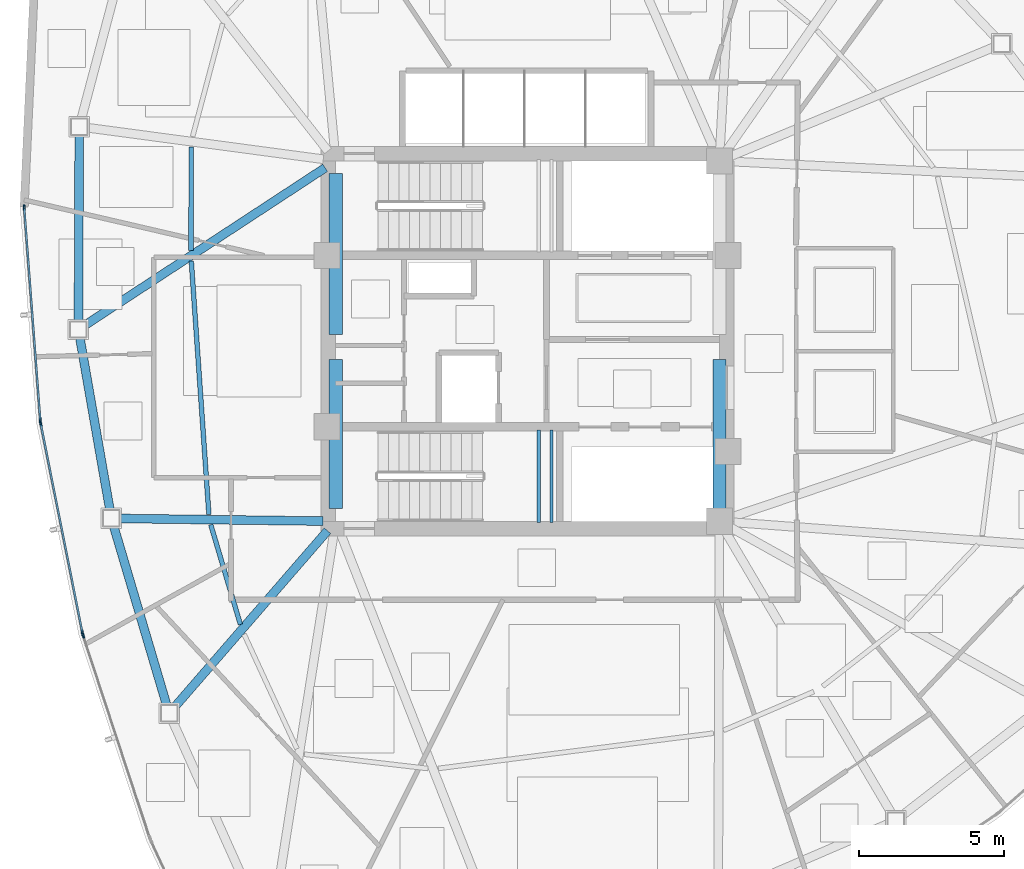
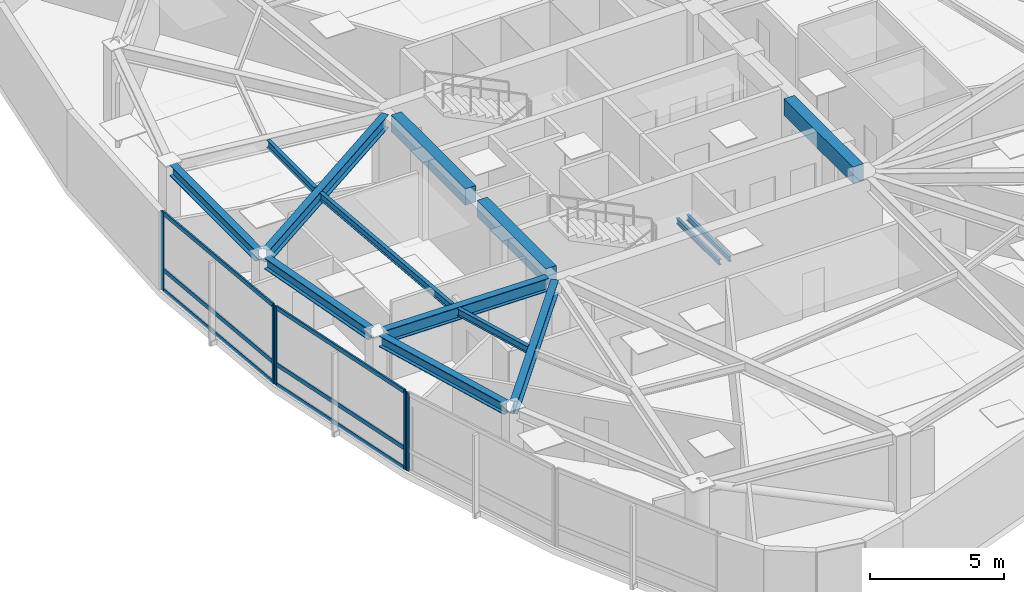
# One storey, part 4 of 17: 14 beams, 11 members, 3 elements without a shape of their own.
"""IFC4 building model written with IfcOpenShell, lengths in metres."""

from ifc_helpers import new_model, si_unit, direction, frame, origin, origin_2d, place, context, subcontext, project, spatial, rectangle, hollow_rectangle, i_section, extrude, source, transform, mapped, material, layer, layer_set, material_profile, profile_set, type_object, type_shapes, element, aggregate, save


model = new_model("IFC4")

# Units and contexts
model_context = context("Model", 3, precision=1e-05, world=origin(), true_north=direction((0.0, 1.0)))
body_context = subcontext(model_context, "Body", "Model", "MODEL_VIEW")
ifc_project = project(units=[si_unit("LENGTHUNIT", "METRE"), si_unit("AREAUNIT", "SQUARE_METRE"), si_unit("VOLUMEUNIT", "CUBIC_METRE"), si_unit("PLANEANGLEUNIT", "RADIAN"), si_unit("MASSUNIT", "GRAM", prefix="KILO")], contexts=[model_context])

# Site, building, storey
site_placement = place(None, origin())
site = spatial("IfcSite", under=ifc_project, at=site_placement, CompositionType="ELEMENT")
building_placement = place(site_placement, origin())
building = spatial("IfcBuilding", under=site, at=building_placement, Name="Tavelor Broadcast Tower", CompositionType="ELEMENT")
storey_placement = place(building_placement, frame((0.0, 0.0, 192.60009765625)))
storey = spatial("IfcBuildingStorey", under=building, at=storey_placement, Name="L46", CompositionType="ELEMENT", Elevation=192.60009765625)

# Beams
ifc_material_1 = material(Name="Concrete C40/50", Category="concrete")
ifc_material_profile_1 = material_profile(ifc_material_1, rectangle(XDim=0.449951171875, YDim=0.75, at=origin_2d()), Name="RC 450x750")
ifc_profile_set_1 = profile_set([ifc_material_profile_1], Name="Concrete C40/50")
beam_type_1 = type_object("IfcBeamType", Name="Basement Core Trim Beam 450x750", PredefinedType="BEAM", material=ifc_profile_set_1)
beam_1_placement = place(storey_placement, frame((43.39990234375, 45.23193359375, 3.1748046875), z_axis=(0.0, 1.0, 0.0), x_axis=(-1.0, 0.0, 0.0)))
element("IfcBeam", 1, at=beam_1_placement, inside=storey, type_object=beam_type_1, Name="L46 Core West-N Tie Girder", PredefinedType="BEAM", context=body_context, shape_type="SweptSolid", body=[
    extrude(rectangle(XDim=0.449951171875, YDim=0.75, at=origin_2d()), origin(), (0.0, 0.0, 1.0), 5.5361328125),
])
for number, where, z_axis, x_axis, name in (
    (2, (43.39990234375, 39.23193359375, 3.1748046875), (0.0, 1.0, 0.0), (-1.0, 0.0, 0.0), "L46 Core West-S Tie Girder"),
    (3, (56.60009765625, 39.23193359375, 3.1748046875), (0.0, 1.0, 0.0), (-1.0, 0.0, 0.0), "L46 Core East-S Tie Girder"),
):
    element("IfcBeam", number, at=place(storey_placement, frame(where, z_axis=z_axis, x_axis=x_axis)), inside=storey, type_object=beam_type_1, Name=name, PredefinedType="BEAM", context=body_context, shape_type="SweptSolid", body=[
        extrude(rectangle(XDim=0.449951171875, YDim=0.75, at=origin_2d()), origin(), (0.0, 0.0, 1.0), 5.135986328125),
    ])
ifc_material_2 = material(Name="Steel S355", Category="steel")
ifc_material_profile_2 = material_profile(ifc_material_2, i_section(OverallWidth=0.159912109375, OverallDepth=0.330078125, WebThickness=0.007568359375, FlangeThickness=0.011474609375, at=origin_2d()), Name="IPE 330")
ifc_profile_set_2 = profile_set([ifc_material_profile_2], Name="Steel S355")
beam_type_2 = type_object("IfcBeamType", Name="Composite Floor Joist T4 IPE 330", PredefinedType="JOIST", material=ifc_profile_set_2)
beam_2_placement = place(storey_placement, frame((38.428955078125, 51.68310546875, 3.385009765625), z_axis=(-0.002943579799, -0.99999566766, 0.0), x_axis=(0.99999566766, -0.002943579799, 0.0)))
element("IfcBeam", 4, at=beam_2_placement, inside=storey, type_object=beam_type_2, Name="L46 Secondary Composite Floor Joist 03", PredefinedType="JOIST", context=body_context, shape_type="SweptSolid", body=[
    extrude(i_section(OverallWidth=0.159912109375, OverallDepth=0.330078125, WebThickness=0.007568359375, FlangeThickness=0.011474609375, at=origin_2d()), origin(), (0.0, 0.0, 1.0), 3.56640625),
])
beam_3_placement = place(storey_placement, frame((38.430419921875, 47.755126953125, 3.385009765625), z_axis=(0.069281460066, -0.997597152808, 0.0), x_axis=(0.997597152808, 0.069281460066, 0.0)))
element("IfcBeam", 5, at=beam_3_placement, inside=storey, type_object=beam_type_2, Name="L46 Secondary Composite Floor Joist 04", PredefinedType="JOIST", context=body_context, shape_type="SweptSolid", body=[
    extrude(i_section(OverallWidth=0.159912109375, OverallDepth=0.330078125, WebThickness=0.007568359375, FlangeThickness=0.011474609375, at=origin_2d()), origin(), (0.0, 0.0, 1.0), 8.7392578125),
])
beam_4_placement = place(storey_placement, frame((39.10009765625, 38.682861328125, 3.385009765625), z_axis=(0.284738295298, -0.958605290613, 0.0), x_axis=(0.958605290613, 0.284738295298, 0.0)))
element("IfcBeam", 6, at=beam_4_placement, inside=storey, type_object=beam_type_2, Name="L46 Secondary Composite Floor Joist 05", PredefinedType="JOIST", context=body_context, shape_type="SweptSolid", body=[
    extrude(i_section(OverallWidth=0.159912109375, OverallDepth=0.330078125, WebThickness=0.007568359375, FlangeThickness=0.011474609375, at=origin_2d()), origin(), (0.0, 0.0, 1.0), 3.58056640625),
])
ifc_material_profile_3 = material_profile(ifc_material_2, i_section(OverallWidth=0.300048828125, OverallDepth=0.5, WebThickness=0.014404296875, FlangeThickness=0.028076171875, at=origin_2d()), Name="HEB 500")
ifc_profile_set_3 = profile_set([ifc_material_profile_3], Name="Steel S355")
beam_type_3 = type_object("IfcBeamType", Name="Perimeter Spandrel Beam T4 HEB 500", PredefinedType="SPANDREL", material=ifc_profile_set_3)
beam_5_placement = place(storey_placement, frame((34.573974609375, 52.09130859375, 3.2998046875), z_axis=(-0.004117073981, -0.999991524815, 0.0), x_axis=(0.999991524815, -0.004117073981, 0.0)))
element("IfcBeam", 7, at=beam_5_placement, inside=storey, type_object=beam_type_3, Name="L46 Framed-Tube Ring Spandrel 03", PredefinedType="SPANDREL", context=body_context, shape_type="SweptSolid", body=[
    extrude(i_section(OverallWidth=0.300048828125, OverallDepth=0.5, WebThickness=0.014404296875, FlangeThickness=0.028076171875, at=origin_2d()), origin(), (0.0, 0.0, 1.0), 6.404296875),
])
beam_6_placement = place(storey_placement, frame((34.595947265625, 45.115478515625, 3.2998046875), z_axis=(0.171987908601, -0.985099060651, 0.0), x_axis=(0.985099060651, 0.171987908601, 0.0)))
element("IfcBeam", 8, at=beam_6_placement, inside=storey, type_object=beam_type_3, Name="L46 Framed-Tube Ring Spandrel 04", PredefinedType="SPANDREL", context=body_context, shape_type="SweptSolid", body=[
    extrude(i_section(OverallWidth=0.300048828125, OverallDepth=0.5, WebThickness=0.014404296875, FlangeThickness=0.028076171875, at=origin_2d()), origin(), (0.0, 0.0, 1.0), 6.021728515625),
])
beam_7_placement = place(storey_placement, frame((35.7626953125, 38.623779296875, 3.2998046875), z_axis=(0.283962764381, -0.958835308301, 0.0), x_axis=(0.958835308301, 0.283962764381, 0.0)))
element("IfcBeam", 9, at=beam_7_placement, inside=storey, type_object=beam_type_3, Name="L46 Framed-Tube Ring Spandrel 05", PredefinedType="SPANDREL", context=body_context, shape_type="SweptSolid", body=[
    extrude(i_section(OverallWidth=0.300048828125, OverallDepth=0.5, WebThickness=0.014404296875, FlangeThickness=0.028076171875, at=origin_2d()), origin(), (0.0, 0.0, 1.0), 6.421630859375),
])
ifc_material_profile_4 = material_profile(ifc_material_2, i_section(OverallWidth=0.300048828125, OverallDepth=0.590087890625, WebThickness=0.012939453125, FlangeThickness=0.02490234375, at=origin_2d()), Name="HEA 600")
ifc_profile_set_4 = profile_set([ifc_material_profile_4], Name="Steel S355")
beam_type_4 = type_object("IfcBeamType", Name="Radial Floor Girder T4 HEA 600", PredefinedType="BEAM", material=ifc_profile_set_4)
beam_8_placement = place(storey_placement, frame((43.038818359375, 50.963134765625, 3.2548828125), z_axis=(-0.83645565271, -0.548034616652, 0.0), x_axis=(0.548034616652, -0.83645565271, 0.0)))
element("IfcBeam", 10, at=beam_8_placement, inside=storey, type_object=beam_type_4, Name="L46 Radial Primary Floor Girder 04", PredefinedType="BEAM", context=body_context, shape_type="SweptSolid", body=[
    extrude(i_section(OverallWidth=0.300048828125, OverallDepth=0.590087890625, WebThickness=0.012939453125, FlangeThickness=0.02490234375, at=origin_2d()), origin(), (0.0, 0.0, 1.0), 9.86474609375),
])
beam_9_placement = place(storey_placement, frame((42.968017578125, 38.8056640625, 3.2548828125), z_axis=(-0.99991627243, 0.012940175006, 0.0), x_axis=(-0.012940175006, -0.99991627243, 0.0)))
element("IfcBeam", 11, at=beam_9_placement, inside=storey, type_object=beam_type_4, Name="L46 Radial Primary Floor Girder 05", PredefinedType="BEAM", context=body_context, shape_type="SweptSolid", body=[
    extrude(i_section(OverallWidth=0.300048828125, OverallDepth=0.590087890625, WebThickness=0.012939453125, FlangeThickness=0.02490234375, at=origin_2d()), origin(), (0.0, 0.0, 1.0), 6.99951171875),
])
beam_10_placement = place(storey_placement, frame((43.116943359375, 38.4736328125, 3.2548828125), z_axis=(-0.655167826376, -0.755483367972, 0.0), x_axis=(0.755483367972, -0.655167826376, 0.0)))
element("IfcBeam", 12, at=beam_10_placement, inside=storey, type_object=beam_type_4, Name="L46 Radial Primary Floor Girder 06", PredefinedType="BEAM", context=body_context, shape_type="SweptSolid", body=[
    extrude(i_section(OverallWidth=0.300048828125, OverallDepth=0.590087890625, WebThickness=0.012939453125, FlangeThickness=0.02490234375, at=origin_2d()), origin(), (0.0, 0.0, 1.0), 8.02880859375),
])
ifc_material_profile_5 = material_profile(ifc_material_2, i_section(OverallWidth=0.1201171875, OverallDepth=0.239990234375, WebThickness=0.006103515625, FlangeThickness=0.009765625, at=origin_2d()), Name="IPE 240")
ifc_profile_set_5 = profile_set([ifc_material_profile_5], Name="Steel S355")
beam_type_5 = type_object("IfcBeamType", Name="Stairwell Landing Support Trimmer Beam IPE240", PredefinedType="BEAM", material=ifc_profile_set_5)
for number, where, z_axis, x_axis, name in (
    (13, (50.385009765625, 38.760009765625, 1.60986328125), (0.0, 1.0, 0.0), (-1.0, 0.0, 0.0), "L46 Stair Landing Support Beam 339"),
    (14, (50.824951171875, 38.760009765625, 1.60986328125), (0.0, 1.0, 0.0), (-1.0, 0.0, 0.0), "L46 Stair Landing Support Beam 340"),
):
    element("IfcBeam", number, at=place(storey_placement, frame(where, z_axis=z_axis, x_axis=x_axis)), inside=storey, type_object=beam_type_5, Name=name, PredefinedType="BEAM", context=body_context, shape_type="SweptSolid", body=[
        extrude(i_section(OverallWidth=0.1201171875, OverallDepth=0.239990234375, WebThickness=0.006103515625, FlangeThickness=0.009765625, at=origin_2d()), origin(), (0.0, 0.0, 1.0), 3.179931640625),
    ])

# Curtain wall, members
ifc_material_3 = material(Name="Architectural Anodized Aluminium", Category="aluminium")
ifc_layer = layer(ifc_material_3, 0.18994140625)
ifc_layer_set = layer_set([ifc_layer], Name="Architectural Anodized Aluminium")
curtain_wall_type = type_object("IfcCurtainWallType", Name="Tower Mid-Zone Acoustic Curtain Wall CW03", PredefinedType="NOTDEFINED", material=ifc_layer_set)
curtain_wall_1_placement = place(storey_placement, origin())
curtain_wall_1 = element("IfcCurtainWall", 15, at=curtain_wall_1_placement, inside=storey, type_object=curtain_wall_type, Name="L46 Curtain Wall CW03 Run 493", PredefinedType="NOTDEFINED")
ifc_material_profile_6 = material_profile(ifc_material_3, hollow_rectangle(XDim=0.068115234375, YDim=0.18994140625, WallThickness=0.02197265625, at=origin_2d()), Name="RHS 68x190x22")
ifc_profile_set_6 = profile_set([ifc_material_profile_6], Name="Architectural Anodized Aluminium")
member_type_1 = type_object("IfcMemberType", Name="CW03 Extruded Aluminium Mullion 68x190", PredefinedType="MULLION", material=ifc_profile_set_6)
shared_shape_1 = source(origin(), body_context, "Body", "SweptSolid", [
    extrude(hollow_rectangle(XDim=0.068115234375, YDim=0.18994140625, WallThickness=0.02197265625, at=origin_2d()), origin(), (0.0, 0.0, 1.0), 3.5498046875),
])
type_shapes(member_type_1, [shared_shape_1])
member_1_placement = place(storey_placement, frame((32.681396484375, 49.592529296875, 0.0), z_axis=(0.0, 0.0, 1.0), x_axis=(0.997152337074, 0.075413637152, 0.0)))
member_1 = element("IfcMember", 16, at=member_1_placement, type_object=member_type_1, Name="CW03 mullion 1", PredefinedType="MULLION", context=body_context, shape_type="MappedRepresentation", body=[
    mapped(shared_shape_1, transform((0.0, 0.0, 0.0), scale=1.0)),
])
member_2_placement = place(storey_placement, frame((33.23583984375, 42.259765625, 0.0), z_axis=(0.0, 0.0, 1.0), x_axis=(0.997152337074, 0.075413637152, 0.0)))
member_2 = element("IfcMember", 17, at=member_2_placement, type_object=member_type_1, Name="CW03 mullion 2", PredefinedType="MULLION", context=body_context, shape_type="MappedRepresentation", body=[
    mapped(shared_shape_1, transform((0.0, 0.0, 0.0), scale=1.0)),
])

curtain_wall_2_placement = place(storey_placement, origin())
curtain_wall_2 = element("IfcCurtainWall", 18, at=curtain_wall_2_placement, inside=storey, type_object=curtain_wall_type, Name="L46 Curtain Wall CW03 Run 494", PredefinedType="NOTDEFINED")
member_3_placement = place(storey_placement, frame((33.249267578125, 42.162841796875, 0.0), z_axis=(0.0, 0.0, 1.0), x_axis=(0.980697859655, 0.195529302328, 0.0)))
member_3 = element("IfcMember", 19, at=member_3_placement, type_object=member_type_1, Name="CW03 mullion 1", PredefinedType="MULLION", context=body_context, shape_type="MappedRepresentation", body=[
    mapped(shared_shape_1, transform((0.0, 0.0, 0.0), scale=1.0)),
])
member_4_placement = place(storey_placement, frame((34.68408203125, 34.966064453125, 0.0), z_axis=(0.0, 0.0, 1.0), x_axis=(0.980697859655, 0.195529302328, 0.0)))
member_4 = element("IfcMember", 20, at=member_4_placement, type_object=member_type_1, Name="CW03 mullion 2", PredefinedType="MULLION", context=body_context, shape_type="MappedRepresentation", body=[
    mapped(shared_shape_1, transform((0.0, 0.0, 0.0), scale=1.0)),
])

# Curtain wall, member
curtain_wall_3_placement = place(storey_placement, origin())
curtain_wall_3 = element("IfcCurtainWall", 21, at=curtain_wall_3_placement, inside=storey, type_object=curtain_wall_type, Name="L46 Curtain Wall CW03 Run 495", PredefinedType="NOTDEFINED")
member_5_placement = place(storey_placement, frame((34.708984375, 34.871337890625, 0.0), z_axis=(0.0, 0.0, 1.0), x_axis=(0.949832676949, 0.312758510355, 0.0)))
member_5 = element("IfcMember", 22, at=member_5_placement, type_object=member_type_1, Name="CW03 mullion 1", PredefinedType="MULLION", context=body_context, shape_type="MappedRepresentation", body=[
    mapped(shared_shape_1, transform((0.0, 0.0, 0.0), scale=1.0)),
])
aggregate(curtain_wall_3, [member_5])

# Member
ifc_material_profile_7 = material_profile(ifc_material_3, hollow_rectangle(XDim=0.068115234375, YDim=0.18994140625, WallThickness=0.02197265625, at=origin_2d()), Name="RHS 68x190x22")
ifc_profile_set_7 = profile_set([ifc_material_profile_7], Name="Architectural Anodized Aluminium")
member_type_2 = type_object("IfcMemberType", Name="CW03 Extruded Aluminium Transom 68x190", PredefinedType="USERDEFINED", material=ifc_profile_set_7)
shared_shape_2 = source(origin(), body_context, "Body", "SweptSolid", [
    extrude(hollow_rectangle(XDim=0.068115234375, YDim=0.18994140625, WallThickness=0.02197265625, at=origin_2d()), origin(), (0.0, 0.0, 1.0), 7.28564453125),
])
member_6_placement = place(storey_placement, frame((32.683837890625, 49.55859375, 0.033935546875), z_axis=(0.075430555173, -0.997151057436, 0.0), x_axis=(0.997151057436, 0.075430555173, 0.0)))
member_6 = element("IfcMember", 23, at=member_6_placement, type_object=member_type_2, Name="CW03 transom 1.1", ObjectType="TRANSOM", PredefinedType="USERDEFINED", context=body_context, shape_type="MappedRepresentation", body=[
    mapped(shared_shape_2, transform((0.0, 0.0, 0.0), scale=1.0)),
])

member_7_placement = place(storey_placement, frame((32.683837890625, 49.55859375, 0.949951171875), z_axis=(0.075430555173, -0.997151057436, 0.0), x_axis=(0.997151057436, 0.075430555173, 0.0)))
member_7 = element("IfcMember", 24, at=member_7_placement, type_object=member_type_2, Name="CW03 transom 1.2", ObjectType="TRANSOM", PredefinedType="USERDEFINED", context=body_context, shape_type="MappedRepresentation", body=[
    mapped(shared_shape_2, transform((0.0, 0.0, 0.0), scale=1.0)),
])

member_8_placement = place(storey_placement, frame((32.683837890625, 49.55859375, 3.515869140625), z_axis=(0.075430555173, -0.997151057436, 0.0), x_axis=(0.997151057436, 0.075430555173, 0.0)))
member_8 = element("IfcMember", 25, at=member_8_placement, type_object=member_type_2, Name="CW03 transom 1.3", ObjectType="TRANSOM", PredefinedType="USERDEFINED", context=body_context, shape_type="MappedRepresentation", body=[
    mapped(shared_shape_2, transform((0.0, 0.0, 0.0), scale=1.0)),
])

aggregate(curtain_wall_1, [member_1, member_2, member_6, member_7, member_8])

shared_shape_3 = source(origin(), body_context, "Body", "SweptSolid", [
    extrude(hollow_rectangle(XDim=0.068115234375, YDim=0.18994140625, WallThickness=0.02197265625, at=origin_2d()), origin(), (0.0, 0.0, 1.0), 7.2705078125),
])
type_shapes(member_type_2, [shared_shape_2, shared_shape_3])
member_9_placement = place(storey_placement, frame((33.255859375, 42.12939453125, 0.033935546875), z_axis=(0.195534912626, -0.980696741069, 0.0), x_axis=(0.980696741069, 0.195534912626, 0.0)))
member_9 = element("IfcMember", 26, at=member_9_placement, type_object=member_type_2, Name="CW03 transom 1.1", ObjectType="TRANSOM", PredefinedType="USERDEFINED", context=body_context, shape_type="MappedRepresentation", body=[
    mapped(shared_shape_3, transform((0.0, 0.0, 0.0), scale=1.0)),
])

member_10_placement = place(storey_placement, frame((33.255859375, 42.12939453125, 0.949951171875), z_axis=(0.195534912626, -0.980696741069, 0.0), x_axis=(0.980696741069, 0.195534912626, 0.0)))
member_10 = element("IfcMember", 27, at=member_10_placement, type_object=member_type_2, Name="CW03 transom 1.2", ObjectType="TRANSOM", PredefinedType="USERDEFINED", context=body_context, shape_type="MappedRepresentation", body=[
    mapped(shared_shape_3, transform((0.0, 0.0, 0.0), scale=1.0)),
])

member_11_placement = place(storey_placement, frame((33.255859375, 42.12939453125, 3.515869140625), z_axis=(0.195534912626, -0.980696741069, 0.0), x_axis=(0.980696741069, 0.195534912626, 0.0)))
member_11 = element("IfcMember", 28, at=member_11_placement, type_object=member_type_2, Name="CW03 transom 1.3", ObjectType="TRANSOM", PredefinedType="USERDEFINED", context=body_context, shape_type="MappedRepresentation", body=[
    mapped(shared_shape_3, transform((0.0, 0.0, 0.0), scale=1.0)),
])

aggregate(curtain_wall_2, [member_3, member_4, member_9, member_10, member_11])

save(model, "model.ifc")
